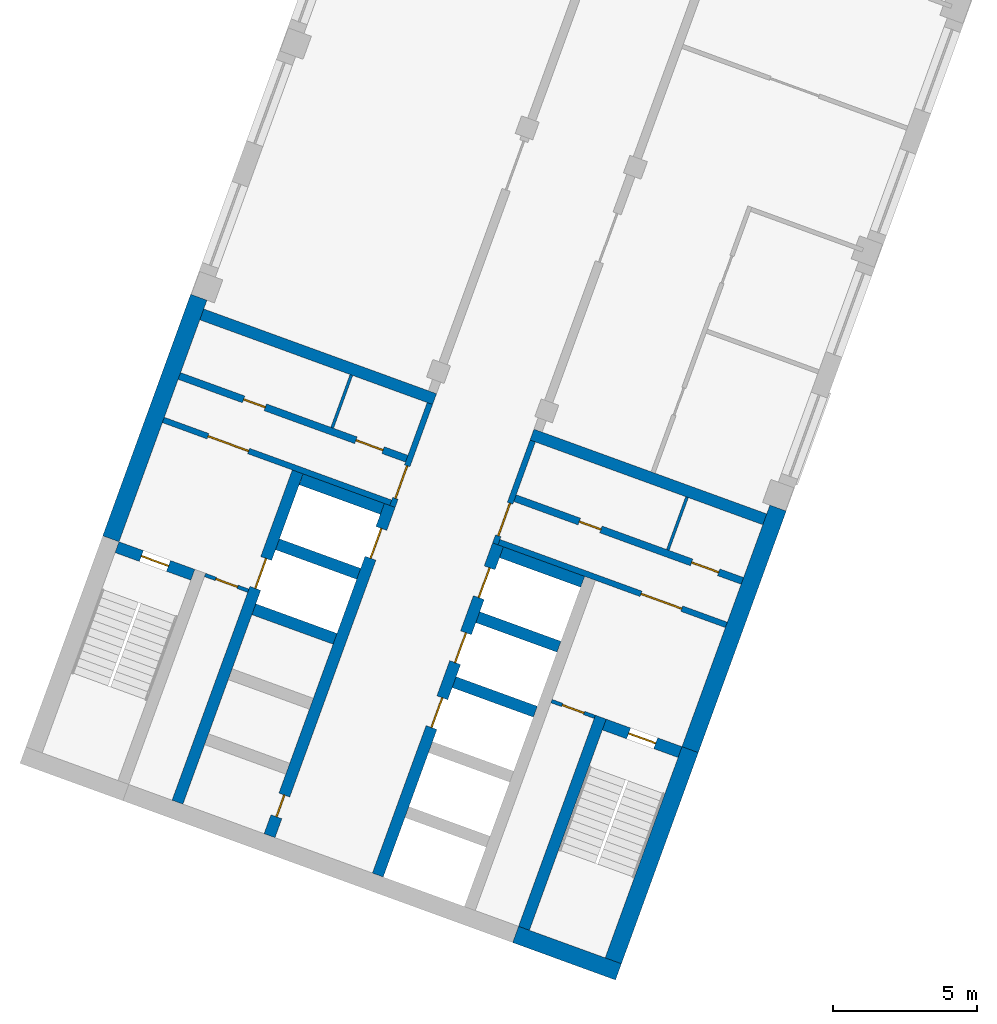
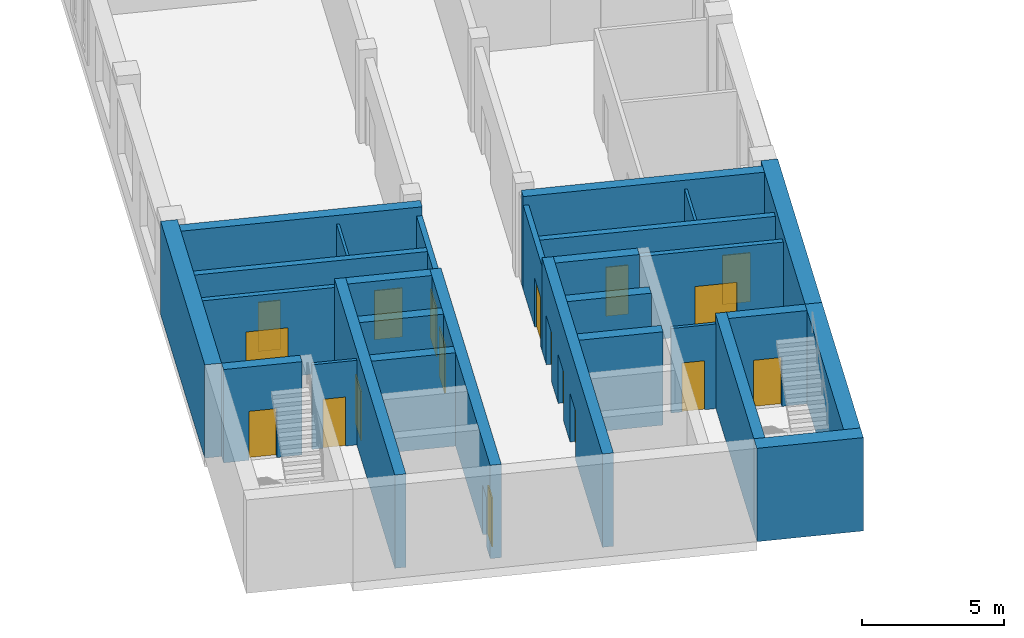
# One storey, part 2 of 8: 28 walls, 18 doors, 18 openings.
"""IFC4 building model written with IfcOpenShell, lengths in metres."""

from ifc_helpers import new_model, si_unit, direction, frame, frame_2d, origin, place, context, subcontext, project, spatial, rectangle, extrude, material, layer, layer_set, type_object, element, fill, save


model = new_model("IFC4")

# Units and contexts
model_context = context("Model", 3, precision=1e-05, world=origin(), true_north=direction((0.0, 1.0)))
body_context = subcontext(model_context, "Body", "Model", "MODEL_VIEW")
ifc_project = project(units=[si_unit("LENGTHUNIT", "METRE"), si_unit("AREAUNIT", "SQUARE_METRE"), si_unit("VOLUMEUNIT", "CUBIC_METRE"), si_unit("PLANEANGLEUNIT", "RADIAN"), si_unit("MASSUNIT", "GRAM", prefix="KILO")], contexts=[model_context])

# Site, building, storey
site_placement = place(None, origin())
site = spatial("IfcSite", under=ifc_project, at=site_placement, CompositionType="ELEMENT")
building_placement = place(site_placement, origin())
building = spatial("IfcBuilding", under=site, at=building_placement, Name="Skarvind Civic Tower", CompositionType="ELEMENT")
storey_placement = place(building_placement, frame((0.0, 0.0, 121.0)))
storey = spatial("IfcBuildingStorey", under=building, at=storey_placement, Name="L28", CompositionType="ELEMENT", Elevation=121.0)

# Wall, opening, door
ifc_material_1 = material(Name="Fire-rated masonry partition", Category="masonry")
ifc_layer_1 = layer(ifc_material_1, 0.199951171875)
ifc_layer_set_1 = layer_set([ifc_layer_1], Name="Core enclosure wall 200")
wall_type_1 = type_object("IfcWallType", Name="Core enclosure wall 200", PredefinedType="PARTITIONING", material=ifc_layer_set_1)
wall_1_placement = place(storey_placement, frame((31.491455078125, 93.693359375, 0.0), z_axis=(0.0, 0.0, 1.0), x_axis=(0.341995824804, 0.939701471648, 0.0)))
wall_1 = element("IfcWall", 1, at=wall_1_placement, inside=storey, type_object=wall_type_1, Name="Core wall C2", PredefinedType="PARTITIONING", context=body_context, shape_type="SweptSolid", body=[
    extrude(rectangle(XDim=3.800048828125, YDim=0.199951171875, at=frame_2d((1.89990234375, 0.0))), origin(), (0.0, 0.0, 1.0), 3.625),
])
opening_1_placement = place(wall_1_placement, frame((0.300048828125, 0.0, 0.0)))
opening_1 = element("IfcOpeningElement", 2, at=opening_1_placement, cuts=wall_1, Name="Opening D-L28-C2-06", PredefinedType="OPENING", context=body_context, shape_type="SweptSolid", body=[
    extrude(rectangle(XDim=1.199951171875, YDim=2.10009765625, at=frame_2d((0.60009765625, 1.050048828125))), frame((0.0, 0.10986328125, 0.0), z_axis=(0.0, -1.0, 0.0), x_axis=(1.0, 0.0, 0.0)), (0.0, 0.0, 1.0), 0.219970703125),
])
ifc_material_2 = material(Name="Fire-rated steel door", Category="steel")
door_type_1 = type_object("IfcDoorType", Name="Core lobby door 1200", OperationType="NOTDEFINED", PredefinedType="DOOR", material=ifc_material_2)
door_1_placement = place(opening_1_placement, origin())
door_1 = element("IfcDoor", 3, at=door_1_placement, inside=storey, type_object=door_type_1, Name="Fire door", OperationType="DOUBLE_DOOR_SINGLE_SWING", OverallHeight=2.10009765625, OverallWidth=1.199951171875, PredefinedType="DOOR", context=body_context, shape_type="SweptSolid", body=[
    extrude(rectangle(XDim=1.199951171875, YDim=2.10009765625, at=frame_2d((0.60009765625, 1.050048828125))), frame((0.0, 0.02490234375, 0.0), z_axis=(0.0, -1.0, 0.0), x_axis=(1.0, 0.0, 0.0)), (0.0, 0.0, 1.0), 0.050048828125),
])
fill(opening_1, door_1)

wall_2_placement = place(storey_placement, frame((23.5380859375, 96.6943359375, 0.0), z_axis=(0.0, 0.0, 1.0), x_axis=(0.939691552312, -0.342023078919, 0.0)))
wall_2 = element("IfcWall", 4, at=wall_2_placement, inside=storey, type_object=wall_type_1, Name="Core wall C2", PredefinedType="PARTITIONING", context=body_context, shape_type="SweptSolid", body=[
    extrude(rectangle(XDim=8.400146484375, YDim=0.199951171875, at=frame_2d((4.2001953125, 0.0))), origin(), (0.0, 0.0, 1.0), 3.625),
])
opening_2_placement = place(wall_2_placement, frame((1.64990234375, 0.0, 0.0)))
opening_2 = element("IfcOpeningElement", 5, at=opening_2_placement, cuts=wall_2, Name="Opening D-L28-C2-07", PredefinedType="OPENING", context=body_context, shape_type="SweptSolid", body=[
    extrude(rectangle(XDim=1.5, YDim=2.10009765625, at=frame_2d((0.75, 1.050048828125))), frame((0.0, 0.10986328125, 0.0), z_axis=(0.0, -1.0, 0.0), x_axis=(1.0, 0.0, 0.0)), (0.0, 0.0, 1.0), 0.219970703125),
])
door_type_2 = type_object("IfcDoorType", Name="Fire door 1500", OperationType="NOTDEFINED", PredefinedType="DOOR", material=ifc_material_2)
door_2_placement = place(opening_2_placement, origin())
door_2 = element("IfcDoor", 6, at=door_2_placement, inside=storey, type_object=door_type_2, Name="Fire door", OperationType="DOUBLE_DOOR_SINGLE_SWING", OverallHeight=2.10009765625, OverallWidth=1.5, PredefinedType="DOOR", context=body_context, shape_type="SweptSolid", body=[
    extrude(rectangle(XDim=1.5, YDim=2.10009765625, at=frame_2d((0.75, 1.050048828125))), frame((0.0, 0.02490234375, 0.0), z_axis=(0.0, -1.0, 0.0), x_axis=(1.0, 0.0, 0.0)), (0.0, 0.0, 1.0), 0.050048828125),
])
fill(opening_2, door_2)

wall_3_placement = place(storey_placement, frame((36.36181640625, 95.96435546875, 0.0), z_axis=(0.0, 0.0, 1.0), x_axis=(-0.341995824804, -0.939701471648, 0.0)))
wall_3 = element("IfcWall", 7, at=wall_3_placement, inside=storey, type_object=wall_type_1, Name="Core wall C2", PredefinedType="PARTITIONING", context=body_context, shape_type="SweptSolid", body=[
    extrude(rectangle(XDim=3.800048828125, YDim=0.199951171875, at=frame_2d((1.89990234375, 0.0))), origin(), (0.0, 0.0, 1.0), 3.625),
])
opening_3_placement = place(wall_3_placement, frame((2.300048828125, 0.0, 0.0)))
opening_3 = element("IfcOpeningElement", 8, at=opening_3_placement, cuts=wall_3, Name="Opening D-L28-C2-12", PredefinedType="OPENING", context=body_context, shape_type="SweptSolid", body=[
    extrude(rectangle(XDim=1.199951171875, YDim=2.10009765625, at=frame_2d((0.60009765625, 1.050048828125))), frame((0.0, 0.10986328125, 0.0), z_axis=(0.0, -1.0, 0.0), x_axis=(1.0, 0.0, 0.0)), (0.0, 0.0, 1.0), 0.219970703125),
])
door_3_placement = place(opening_3_placement, origin())
door_3 = element("IfcDoor", 9, at=door_3_placement, inside=storey, type_object=door_type_1, Name="Fire door", OperationType="DOUBLE_DOOR_SINGLE_SWING", OverallHeight=2.10009765625, OverallWidth=1.199951171875, PredefinedType="DOOR", context=body_context, shape_type="SweptSolid", body=[
    extrude(rectangle(XDim=1.199951171875, YDim=2.10009765625, at=frame_2d((0.60009765625, 1.050048828125))), frame((0.0, 0.02490234375, 0.0), z_axis=(0.0, -1.0, 0.0), x_axis=(1.0, 0.0, 0.0)), (0.0, 0.0, 1.0), 0.050048828125),
])
fill(opening_3, door_3)

wall_4_placement = place(storey_placement, frame((35.1904296875, 92.453369140625, 0.0), z_axis=(0.0, 0.0, 1.0), x_axis=(0.939691552312, -0.342023078919, 0.0)))
wall_4 = element("IfcWall", 10, at=wall_4_placement, inside=storey, type_object=wall_type_1, Name="Core wall C2", PredefinedType="PARTITIONING", context=body_context, shape_type="SweptSolid", body=[
    extrude(rectangle(XDim=8.400146484375, YDim=0.199951171875, at=frame_2d((4.2001953125, 0.0))), origin(), (0.0, 0.0, 1.0), 3.625),
])
opening_4_placement = place(wall_4_placement, frame((5.25, 0.0, 0.0)))
opening_4 = element("IfcOpeningElement", 11, at=opening_4_placement, cuts=wall_4, Name="Opening D-L28-C2-13", PredefinedType="OPENING", context=body_context, shape_type="SweptSolid", body=[
    extrude(rectangle(XDim=1.5, YDim=2.10009765625, at=frame_2d((0.75, 1.050048828125))), frame((0.0, 0.10986328125, 0.0), z_axis=(0.0, -1.0, 0.0), x_axis=(1.0, 0.0, 0.0)), (0.0, 0.0, 1.0), 0.219970703125),
])
door_4_placement = place(opening_4_placement, origin())
door_4 = element("IfcDoor", 12, at=door_4_placement, inside=storey, type_object=door_type_2, Name="Fire door", OperationType="DOUBLE_DOOR_SINGLE_SWING", OverallHeight=2.10009765625, OverallWidth=1.5, PredefinedType="DOOR", context=body_context, shape_type="SweptSolid", body=[
    extrude(rectangle(XDim=1.5, YDim=2.10009765625, at=frame_2d((0.75, 1.050048828125))), frame((0.0, 0.02490234375, 0.0), z_axis=(0.0, -1.0, 0.0), x_axis=(1.0, 0.0, 0.0)), (0.0, 0.0, 1.0), 0.050048828125),
])
fill(opening_4, door_4)

# Walls
ifc_material_3 = material(Name="Fire-rated plasterboard partition")
ifc_layer_2 = layer(ifc_material_3, 0.10009765625)
ifc_layer_set_2 = layer_set([ifc_layer_2], Name="Core partition wall 100")
wall_type_2 = type_object("IfcWallType", Name="Core partition wall 100", PredefinedType="PARTITIONING", material=ifc_layer_set_2)
for number, where, z_axis, x_axis, name in (
    (13, (29.399169921875, 96.423583984375, 0.0), (0.0, 0.0, 1.0), (0.341913947243, 0.939731266204, 0.0), "Core wall C2"),
    (14, (41.71826171875, 94.014892578125, 0.0), (0.0, 0.0, 1.0), (-0.342064742067, -0.939676386973, 0.0), "Core wall C2"),
):
    element("IfcWall", number, at=place(storey_placement, frame(where, z_axis=z_axis, x_axis=x_axis)), inside=storey, type_object=wall_type_2, Name=name, PredefinedType="PARTITIONING", context=body_context, shape_type="SweptSolid", body=[
        extrude(rectangle(XDim=1.949951171875, YDim=0.10009765625, at=frame_2d((0.97509765625, 0.0))), origin(), (0.0, 0.0, 1.0), 3.625),
    ])
ifc_material_4 = material(Name="Concrete C80", Category="concrete")
ifc_layer_3 = layer(ifc_material_4, 0.39990234375)
ifc_layer_set_3 = layer_set([ifc_layer_3], Name="Core wall 400 C80")
wall_type_3 = type_object("IfcWallType", Name="Core wall 400 C80", PredefinedType="SHEAR", material=ifc_layer_set_3)
wall_5_placement = place(storey_placement, frame((36.057861328125, 79.04833984375, 0.0), z_axis=(0.0, 0.0, 1.0), x_axis=(0.342016982193, 0.939693771338, 0.0)))
element("IfcWall", 15, at=wall_5_placement, inside=storey, type_object=wall_type_3, Name="Core wall C2 south stair inner L28", PredefinedType="SHEAR", context=body_context, shape_type="SweptSolid", body=[
    extrude(rectangle(XDim=7.800048828125, YDim=0.39990234375, at=frame_2d((3.89990234375, 0.0))), origin(), (0.0, 0.0, 1.0), 4.0),
])

# Wall, opening, door
wall_6_placement = place(storey_placement, frame((41.476318359375, 85.163818359375, 0.0), z_axis=(0.0, 0.0, 1.0), x_axis=(-0.939678810556, 0.342058084236, 0.0)))
wall_6 = element("IfcWall", 16, at=wall_6_placement, inside=storey, type_object=wall_type_3, Name="Core wall C2 south stair end L28", PredefinedType="SHEAR", context=body_context, shape_type="SweptSolid", body=[
    extrude(rectangle(XDim=2.800048828125, YDim=0.39990234375, at=frame_2d((1.39990234375, 0.0))), origin(), (0.0, 0.0, 1.0), 4.0),
])
opening_5_placement = place(wall_6_placement, frame((0.89990234375, 0.0, 0.0)))
opening_5 = element("IfcOpeningElement", 17, at=opening_5_placement, cuts=wall_6, Name="Opening D-L28-C2-14", PredefinedType="OPENING", context=body_context, shape_type="SweptSolid", body=[
    extrude(rectangle(XDim=1.0, YDim=2.10009765625, at=frame_2d((0.5, 1.050048828125))), frame((0.0, 0.2099609375, 0.0), z_axis=(0.0, -1.0, 0.0), x_axis=(1.0, 0.0, 0.0)), (0.0, 0.0, 1.0), 0.419921875),
])
door_type_3 = type_object("IfcDoorType", Name="Fire door 1000", OperationType="NOTDEFINED", PredefinedType="DOOR", material=ifc_material_2)
door_5_placement = place(opening_5_placement, origin())
door_5 = element("IfcDoor", 18, at=door_5_placement, inside=storey, type_object=door_type_3, Name="Fire door", OperationType="SINGLE_SWING_RIGHT", OverallHeight=2.10009765625, OverallWidth=1.0, PredefinedType="DOOR", context=body_context, shape_type="SweptSolid", body=[
    extrude(rectangle(XDim=1.0, YDim=2.10009765625, at=frame_2d((0.5, 1.050048828125))), frame((0.0, 0.02490234375, 0.0), z_axis=(0.0, -1.0, 0.0), x_axis=(1.0, 0.0, 0.0)), (0.0, 0.0, 1.0), 0.050048828125),
])
fill(opening_5, door_5)

wall_7_placement = place(storey_placement, frame((24.56201171875, 91.3203125, 0.0), z_axis=(0.0, 0.0, 1.0), x_axis=(-0.939717030584, 0.341953070509, 0.0)))
wall_7 = element("IfcWall", 19, at=wall_7_placement, inside=storey, type_object=wall_type_3, Name="Core wall C2 north stair end L28", PredefinedType="SHEAR", context=body_context, shape_type="SweptSolid", body=[
    extrude(rectangle(XDim=2.800048828125, YDim=0.39990234375, at=frame_2d((1.39990234375, 0.0))), origin(), (0.0, 0.0, 1.0), 4.0),
])
opening_6_placement = place(wall_7_placement, frame((0.89990234375, 0.0, 0.0)))
opening_6 = element("IfcOpeningElement", 20, at=opening_6_placement, cuts=wall_7, Name="Opening D-L28-C2-08", PredefinedType="OPENING", context=body_context, shape_type="SweptSolid", body=[
    extrude(rectangle(XDim=1.0, YDim=2.10009765625, at=frame_2d((0.5, 1.050048828125))), frame((0.0, 0.2099609375, 0.0), z_axis=(0.0, -1.0, 0.0), x_axis=(1.0, 0.0, 0.0)), (0.0, 0.0, 1.0), 0.419921875),
])
door_6_placement = place(opening_6_placement, origin())
door_6 = element("IfcDoor", 21, at=door_6_placement, inside=storey, type_object=door_type_3, Name="Fire door", OperationType="SINGLE_SWING_LEFT", OverallHeight=2.10009765625, OverallWidth=1.0, PredefinedType="DOOR", context=body_context, shape_type="SweptSolid", body=[
    extrude(rectangle(XDim=1.0, YDim=2.10009765625, at=frame_2d((0.5, 1.050048828125))), frame((0.0, 0.02490234375, 0.0), z_axis=(0.0, -1.0, 0.0), x_axis=(1.0, 0.0, 0.0)), (0.0, 0.0, 1.0), 0.050048828125),
])
fill(opening_6, door_6)

# Wall, openings, doors
wall_8_placement = place(storey_placement, frame((30.983642578125, 80.895263671875, 0.0), z_axis=(0.0, 0.0, 1.0), x_axis=(0.342021021735, 0.939692301071, 0.0)))
wall_8 = element("IfcWall", 22, at=wall_8_placement, inside=storey, type_object=wall_type_3, Name="Core wall C2 south lift row front L28", PredefinedType="SHEAR", context=body_context, shape_type="SweptSolid", body=[
    extrude(rectangle(XDim=12.199951171875, YDim=0.39990234375, at=frame_2d((6.10009765625, 0.0))), origin(), (0.0, 0.0, 1.0), 4.0),
])
opening_7_placement = place(wall_8_placement, frame((5.449951171875, 0.0, 0.0)))
opening_7 = element("IfcOpeningElement", 23, at=opening_7_placement, cuts=wall_8, Name="Opening LD30208", PredefinedType="OPENING", context=body_context, shape_type="SweptSolid", body=[
    extrude(rectangle(XDim=1.10009765625, YDim=2.10009765625, at=frame_2d((0.550048828125, 1.050048828125))), frame((0.0, 0.2099609375, 0.0), z_axis=(0.0, -1.0, 0.0), x_axis=(1.0, 0.0, 0.0)), (0.0, 0.0, 1.0), 0.419921875),
])
opening_8_placement = place(wall_8_placement, frame((7.85009765625, 0.0, 0.0)))
opening_8 = element("IfcOpeningElement", 24, at=opening_8_placement, cuts=wall_8, Name="Opening LD30209", PredefinedType="OPENING", context=body_context, shape_type="SweptSolid", body=[
    extrude(rectangle(XDim=1.10009765625, YDim=2.10009765625, at=frame_2d((0.550048828125, 1.050048828125))), frame((0.0, 0.2099609375, 0.0), z_axis=(0.0, -1.0, 0.0), x_axis=(1.0, 0.0, 0.0)), (0.0, 0.0, 1.0), 0.419921875),
])
opening_9_placement = place(wall_8_placement, frame((10.25, 0.0, 0.0)))
opening_9 = element("IfcOpeningElement", 25, at=opening_9_placement, cuts=wall_8, Name="Opening LD30210", PredefinedType="OPENING", context=body_context, shape_type="SweptSolid", body=[
    extrude(rectangle(XDim=1.10009765625, YDim=2.10009765625, at=frame_2d((0.550048828125, 1.050048828125))), frame((0.0, 0.2099609375, 0.0), z_axis=(0.0, -1.0, 0.0), x_axis=(1.0, 0.0, 0.0)), (0.0, 0.0, 1.0), 0.419921875),
])
ifc_material_5 = material(Name="Stainless steel landing door", Category="steel")
door_type_4 = type_object("IfcDoorType", Name="Lift landing door 1100", OperationType="DOUBLE_DOOR_SLIDING", PredefinedType="DOOR", material=ifc_material_5)
door_7_placement = place(opening_7_placement, origin())
door_7 = element("IfcDoor", 26, at=door_7_placement, inside=storey, type_object=door_type_4, Name="Lift landing door", OperationType="DOUBLE_DOOR_SLIDING", OverallHeight=2.10009765625, OverallWidth=1.10009765625, PredefinedType="DOOR", context=body_context, shape_type="SweptSolid", body=[
    extrude(rectangle(XDim=1.10009765625, YDim=2.10009765625, at=frame_2d((0.550048828125, 1.050048828125))), frame((0.0, 0.02490234375, 0.0), z_axis=(0.0, -1.0, 0.0), x_axis=(1.0, 0.0, 0.0)), (0.0, 0.0, 1.0), 0.050048828125),
])
fill(opening_7, door_7)
door_8_placement = place(opening_8_placement, origin())
door_8 = element("IfcDoor", 27, at=door_8_placement, inside=storey, type_object=door_type_4, Name="Lift landing door", OperationType="DOUBLE_DOOR_SLIDING", OverallHeight=2.10009765625, OverallWidth=1.10009765625, PredefinedType="DOOR", context=body_context, shape_type="SweptSolid", body=[
    extrude(rectangle(XDim=1.10009765625, YDim=2.10009765625, at=frame_2d((0.550048828125, 1.050048828125))), frame((0.0, 0.02490234375, 0.0), z_axis=(0.0, -1.0, 0.0), x_axis=(1.0, 0.0, 0.0)), (0.0, 0.0, 1.0), 0.050048828125),
])
fill(opening_8, door_8)
door_9_placement = place(opening_9_placement, origin())
door_9 = element("IfcDoor", 28, at=door_9_placement, inside=storey, type_object=door_type_4, Name="Lift landing door", OperationType="DOUBLE_DOOR_SLIDING", OverallHeight=2.10009765625, OverallWidth=1.10009765625, PredefinedType="DOOR", context=body_context, shape_type="SweptSolid", body=[
    extrude(rectangle(XDim=1.10009765625, YDim=2.10009765625, at=frame_2d((0.550048828125, 1.050048828125))), frame((0.0, 0.02490234375, 0.0), z_axis=(0.0, -1.0, 0.0), x_axis=(1.0, 0.0, 0.0)), (0.0, 0.0, 1.0), 0.050048828125),
])
fill(opening_9, door_9)

# Walls
for number, where, z_axis, x_axis, name in (
    (29, (36.453125, 86.56640625, 0.0), (0.0, 0.0, 1.0), (-0.939686455819, 0.342037080957, 0.0), "Core wall C2 south lift row division 3 L28"),
    (30, (37.27392578125, 88.82177734375, 0.0), (0.0, 0.0, 1.0), (-0.939686455819, 0.342037080957, 0.0), "Core wall C2 south lift row division 4 L28"),
):
    element("IfcWall", number, at=place(storey_placement, frame(where, z_axis=z_axis, x_axis=x_axis)), inside=storey, type_object=wall_type_3, Name=name, PredefinedType="SHEAR", context=body_context, shape_type="SweptSolid", body=[
        extrude(rectangle(XDim=3.0, YDim=0.39990234375, at=frame_2d((1.5, 0.0))), origin(), (0.0, 0.0, 1.0), 4.0),
    ])
wall_9_placement = place(storey_placement, frame((38.0947265625, 91.076904296875, 0.0), z_axis=(0.0, 0.0, 1.0), x_axis=(-0.939676934218, 0.342063238742, 0.0)))
element("IfcWall", 31, at=wall_9_placement, inside=storey, type_object=wall_type_3, Name="Core wall C2 south lift row division 5 L28", PredefinedType="SHEAR", context=body_context, shape_type="SweptSolid", body=[
    extrude(rectangle(XDim=2.999755859375, YDim=0.39990234375, at=frame_2d((1.5, 0.0))), origin(), (0.0, 0.0, 1.0), 4.0),
])

# Wall, openings, doors
wall_10_placement = place(storey_placement, frame((27.224853515625, 82.26318359375, 0.0), z_axis=(0.0, 0.0, 1.0), x_axis=(0.342014590177, 0.939694641948, 0.0)))
wall_10 = element("IfcWall", 32, at=wall_10_placement, inside=storey, type_object=wall_type_3, Name="Core wall C2 north lift row front L28", PredefinedType="SHEAR", context=body_context, shape_type="SweptSolid", body=[
    extrude(rectangle(XDim=12.2001953125, YDim=0.39990234375, at=frame_2d((6.10009765625, 0.0))), origin(), (0.0, 0.0, 1.0), 4.0),
])
opening_10_placement = place(wall_10_placement, frame((10.25, 0.0, 0.0)))
opening_10 = element("IfcOpeningElement", 33, at=opening_10_placement, cuts=wall_10, Name="Opening LD30205", PredefinedType="OPENING", context=body_context, shape_type="SweptSolid", body=[
    extrude(rectangle(XDim=1.10009765625, YDim=2.10009765625, at=frame_2d((0.550048828125, 1.050048828125))), frame((0.0, 0.2099609375, 0.0), z_axis=(0.0, -1.0, 0.0), x_axis=(1.0, 0.0, 0.0)), (0.0, 0.0, 1.0), 0.419921875),
])
opening_11_placement = place(wall_10_placement, frame((0.699951171875, 0.0, 0.0)))
opening_11 = element("IfcOpeningElement", 34, at=opening_11_placement, cuts=wall_10, Name="Opening D-L28-C2-05", PredefinedType="OPENING", context=body_context, shape_type="SweptSolid", body=[
    extrude(rectangle(XDim=0.800048828125, YDim=2.10009765625, at=frame_2d((0.39990234375, 1.050048828125))), frame((0.0, 0.2099609375, 0.0), z_axis=(0.0, -1.0, 0.0), x_axis=(1.0, 0.0, 0.0)), (0.0, 0.0, 1.0), 0.419921875),
])
door_type_5 = type_object("IfcDoorType", Name="Core riser door 800", OperationType="NOTDEFINED", PredefinedType="DOOR", material=ifc_material_2)
door_10_placement = place(opening_11_placement, origin())
door_10 = element("IfcDoor", 35, at=door_10_placement, inside=storey, type_object=door_type_5, Name="Riser door", OperationType="SINGLE_SWING_LEFT", OverallHeight=2.10009765625, OverallWidth=0.800048828125, PredefinedType="DOOR", context=body_context, shape_type="SweptSolid", body=[
    extrude(rectangle(XDim=0.800048828125, YDim=2.10009765625, at=frame_2d((0.39990234375, 1.050048828125))), frame((0.0, 0.02490234375, 0.0), z_axis=(0.0, -1.0, 0.0), x_axis=(1.0, 0.0, 0.0)), (0.0, 0.0, 1.0), 0.050048828125),
])
fill(opening_11, door_10)
door_11_placement = place(opening_10_placement, origin())
door_11 = element("IfcDoor", 36, at=door_11_placement, inside=storey, type_object=door_type_4, Name="Lift landing door", OperationType="DOUBLE_DOOR_SLIDING", OverallHeight=2.10009765625, OverallWidth=1.10009765625, PredefinedType="DOOR", context=body_context, shape_type="SweptSolid", body=[
    extrude(rectangle(XDim=1.10009765625, YDim=2.10009765625, at=frame_2d((0.550048828125, 1.050048828125))), frame((0.0, 0.02490234375, 0.0), z_axis=(0.0, -1.0, 0.0), x_axis=(1.0, 0.0, 0.0)), (0.0, 0.0, 1.0), 0.050048828125),
])
fill(opening_10, door_11)

# Wall, opening, door
wall_11_placement = place(storey_placement, frame((24.02978515625, 83.426025390625, 0.0), z_axis=(0.0, 0.0, 1.0), x_axis=(0.342014590177, 0.939694641948, 0.0)))
wall_11 = element("IfcWall", 37, at=wall_11_placement, inside=storey, type_object=wall_type_3, Name="Core wall C2 north lift row back L28", PredefinedType="SHEAR", context=body_context, shape_type="SweptSolid", body=[
    extrude(rectangle(XDim=12.2001953125, YDim=0.39990234375, at=frame_2d((6.10009765625, 0.0))), origin(), (0.0, 0.0, 1.0), 4.0),
])
opening_12_placement = place(wall_11_placement, frame((7.89990234375, 0.0, 0.0)))
opening_12 = element("IfcOpeningElement", 38, at=opening_12_placement, cuts=wall_11, Name="Opening LD30204", PredefinedType="OPENING", context=body_context, shape_type="SweptSolid", body=[
    extrude(rectangle(XDim=1.10009765625, YDim=2.10009765625, at=frame_2d((0.550048828125, 1.050048828125))), frame((0.0, 0.2099609375, 0.0), z_axis=(0.0, -1.0, 0.0), x_axis=(1.0, 0.0, 0.0)), (0.0, 0.0, 1.0), 0.419921875),
])
door_12_placement = place(opening_12_placement, origin())
door_12 = element("IfcDoor", 39, at=door_12_placement, inside=storey, type_object=door_type_4, Name="Lift landing door", OperationType="DOUBLE_DOOR_SLIDING", OverallHeight=2.10009765625, OverallWidth=1.10009765625, PredefinedType="DOOR", context=body_context, shape_type="SweptSolid", body=[
    extrude(rectangle(XDim=1.10009765625, YDim=2.10009765625, at=frame_2d((0.550048828125, 1.050048828125))), frame((0.0, 0.02490234375, 0.0), z_axis=(0.0, -1.0, 0.0), x_axis=(1.0, 0.0, 0.0)), (0.0, 0.0, 1.0), 0.050048828125),
])
fill(opening_12, door_12)

# Walls
for number, where, z_axis, x_axis, name in (
    (40, (29.49951171875, 89.097412109375, 0.0), (0.0, 0.0, 1.0), (-0.939686455819, 0.342037080957, 0.0), "Core wall C2 north lift row division 3 L28"),
    (41, (30.3203125, 91.352783203125, 0.0), (0.0, 0.0, 1.0), (-0.939712609717, 0.341965219194, 0.0), "Core wall C2 north lift row division 4 L28"),
    (42, (31.14111328125, 93.60791015625, 0.0), (0.0, 0.0, 1.0), (-0.939686455819, 0.342037080957, 0.0), "Core wall C2 north lift row division 5 L28"),
):
    element("IfcWall", number, at=place(storey_placement, frame(where, z_axis=z_axis, x_axis=x_axis)), inside=storey, type_object=wall_type_3, Name=name, PredefinedType="SHEAR", context=body_context, shape_type="SweptSolid", body=[
        extrude(rectangle(XDim=3.0, YDim=0.39990234375, at=frame_2d((1.5, 0.0))), origin(), (0.0, 0.0, 1.0), 4.0),
    ])
for number, where, z_axis, x_axis, name in (
    (43, (44.417724609375, 93.2451171875, 0.0), (0.0, 0.0, 1.0), (-0.93969060187, 0.342025690201, 0.0), "Core wall C2 south inner face L28"),
    (44, (32.953369140625, 97.417724609375, 0.0), (0.0, 0.0, 1.0), (-0.93969060187, 0.342025690201, 0.0), "Core wall C2 north inner face L28"),
):
    element("IfcWall", number, at=place(storey_placement, frame(where, z_axis=z_axis, x_axis=x_axis)), inside=storey, type_object=wall_type_3, Name=name, PredefinedType="SHEAR", context=body_context, shape_type="SweptSolid", body=[
        extrude(rectangle(XDim=8.599853515625, YDim=0.39990234375, at=frame_2d((4.2998046875, 0.0))), origin(), (0.0, 0.0, 1.0), 4.0),
    ])
ifc_layer_4 = layer(ifc_material_4, 0.60009765625)
ifc_layer_set_4 = layer_set([ifc_layer_4], Name="Core wall 600 C80")
wall_type_4 = type_object("IfcWallType", Name="Core wall 600 C80", PredefinedType="SHEAR", material=ifc_layer_set_4)
wall_12_placement = place(storey_placement, frame((39.338134765625, 77.53515625, 0.0), z_axis=(0.0, 0.0, 1.0), x_axis=(-0.939701471648, 0.341995824804, 0.0)))
element("IfcWall", 45, at=wall_12_placement, inside=storey, type_object=wall_type_4, Name="Core wall C2 tip at the south stair L28", PredefinedType="SHEAR", context=body_context, shape_type="SweptSolid", body=[
    extrude(rectangle(XDim=3.800048828125, YDim=0.60009765625, at=frame_2d((1.89990234375, 0.0))), origin(), (0.0, 0.0, 1.0), 4.0),
])
wall_13_placement = place(storey_placement, frame((39.158935546875, 77.919677734375, 0.0), z_axis=(0.0, 0.0, 1.0), x_axis=(0.342016982193, 0.939693771338, 0.0)))
element("IfcWall", 46, at=wall_13_placement, inside=storey, type_object=wall_type_4, Name="Core wall C2 south side at the stair L28", PredefinedType="SHEAR", context=body_context, shape_type="SweptSolid", body=[
    extrude(rectangle(XDim=7.800048828125, YDim=0.60009765625, at=frame_2d((3.89990234375, 0.0))), origin(), (0.0, 0.0, 1.0), 4.0),
])
for number, where, z_axis, x_axis, name in (
    (47, (41.82666015625, 85.249267578125, 0.0), (0.0, 0.0, 1.0), (0.342017595281, 0.939693548195, 0.0), "Core wall C2 south side L28"),
    (48, (21.71728515625, 92.568359375, 0.0), (0.0, 0.0, 1.0), (0.342017595281, 0.939693548195, 0.0), "Core wall C2 north side L28"),
):
    element("IfcWall", number, at=place(storey_placement, frame(where, z_axis=z_axis, x_axis=x_axis)), inside=storey, type_object=wall_type_4, Name=name, PredefinedType="SHEAR", context=body_context, shape_type="SweptSolid", body=[
        extrude(rectangle(XDim=8.925048828125, YDim=0.60009765625, at=frame_2d((4.46240234375, 0.0))), origin(), (0.0, 0.0, 1.0), 4.0),
    ])

# Wall, opening, door
ifc_layer_5 = layer(ifc_material_1, 0.125)
ifc_layer_set_5 = layer_set([ifc_layer_5], Name="Riser wall 125")
wall_type_5 = type_object("IfcWallType", Name="Riser wall 125", PredefinedType="PARTITIONING", material=ifc_layer_set_5)
wall_14_placement = place(storey_placement, frame((24.98486328125, 91.3125, 0.0), z_axis=(0.0, 0.0, 1.0), x_axis=(0.939708740826, -0.341975850632, 0.0)))
wall_14 = element("IfcWall", 49, at=wall_14_placement, inside=storey, type_object=wall_type_5, Name="Core wall C2", PredefinedType="PARTITIONING", context=body_context, shape_type="SweptSolid", body=[
    extrude(rectangle(XDim=1.599853515625, YDim=0.125, at=frame_2d((0.7998046875, 0.0))), origin(), (0.0, 0.0, 1.0), 3.625),
])
opening_13_placement = place(wall_14_placement, frame((0.39990234375, 0.0, 0.0)))
opening_13 = element("IfcOpeningElement", 50, at=opening_13_placement, cuts=wall_14, Name="Opening D-L28-C2-09", PredefinedType="OPENING", context=body_context, shape_type="SweptSolid", body=[
    extrude(rectangle(XDim=0.800048828125, YDim=2.10009765625, at=frame_2d((0.39990234375, 1.050048828125))), frame((0.0, 0.072509765625, 0.0), z_axis=(0.0, -1.0, 0.0), x_axis=(1.0, 0.0, 0.0)), (0.0, 0.0, 1.0), 0.14501953125),
])
door_13_placement = place(opening_13_placement, origin())
door_13 = element("IfcDoor", 51, at=door_13_placement, inside=storey, type_object=door_type_5, Name="Riser door", OperationType="SINGLE_SWING_RIGHT", OverallHeight=2.10009765625, OverallWidth=0.800048828125, PredefinedType="DOOR", context=body_context, shape_type="SweptSolid", body=[
    extrude(rectangle(XDim=0.800048828125, YDim=2.10009765625, at=frame_2d((0.39990234375, 1.050048828125))), frame((0.0, 0.02490234375, 0.0), z_axis=(0.0, -1.0, 0.0), x_axis=(1.0, 0.0, 0.0)), (0.0, 0.0, 1.0), 0.050048828125),
])
fill(opening_13, door_13)

wall_15_placement = place(storey_placement, frame((37.012939453125, 86.934814453125, 0.0), z_axis=(0.0, 0.0, 1.0), x_axis=(0.939659694648, -0.342110593602, 0.0)))
wall_15 = element("IfcWall", 52, at=wall_15_placement, inside=storey, type_object=wall_type_5, Name="Core wall C2", PredefinedType="PARTITIONING", context=body_context, shape_type="SweptSolid", body=[
    extrude(rectangle(XDim=1.599853515625, YDim=0.125, at=frame_2d((0.7998046875, 0.0))), origin(), (0.0, 0.0, 1.0), 3.625),
])
opening_14_placement = place(wall_15_placement, frame((0.39990234375, 0.0, 0.0)))
opening_14 = element("IfcOpeningElement", 53, at=opening_14_placement, cuts=wall_15, Name="Opening D-L28-C2-15", PredefinedType="OPENING", context=body_context, shape_type="SweptSolid", body=[
    extrude(rectangle(XDim=0.800048828125, YDim=2.10009765625, at=frame_2d((0.39990234375, 1.050048828125))), frame((0.0, 0.072509765625, 0.0), z_axis=(0.0, -1.0, 0.0), x_axis=(1.0, 0.0, 0.0)), (0.0, 0.0, 1.0), 0.14501953125),
])
door_14_placement = place(opening_14_placement, origin())
door_14 = element("IfcDoor", 54, at=door_14_placement, inside=storey, type_object=door_type_5, Name="Riser door", OperationType="SINGLE_SWING_LEFT", OverallHeight=2.10009765625, OverallWidth=0.800048828125, PredefinedType="DOOR", context=body_context, shape_type="SweptSolid", body=[
    extrude(rectangle(XDim=0.800048828125, YDim=2.10009765625, at=frame_2d((0.39990234375, 1.050048828125))), frame((0.0, 0.02490234375, 0.0), z_axis=(0.0, -1.0, 0.0), x_axis=(1.0, 0.0, 0.0)), (0.0, 0.0, 1.0), 0.050048828125),
])
fill(opening_14, door_14)

# Wall, openings, doors
ifc_layer_6 = layer(ifc_material_1, 0.25)
ifc_layer_set_6 = layer_set([ifc_layer_6], Name="Service block wall 250")
wall_type_6 = type_object("IfcWallType", Name="Service block wall 250", PredefinedType="PARTITIONING", material=ifc_layer_set_6)
wall_16_placement = place(storey_placement, frame((24.093994140625, 98.221435546875, 0.0), z_axis=(0.0, 0.0, 1.0), x_axis=(0.939691552312, -0.342023078919, 0.0)))
wall_16 = element("IfcWall", 55, at=wall_16_placement, inside=storey, type_object=wall_type_6, Name="Core wall C2", PredefinedType="PARTITIONING", context=body_context, shape_type="SweptSolid", body=[
    extrude(rectangle(XDim=8.400146484375, YDim=0.25, at=frame_2d((4.2001953125, 0.0))), origin(), (0.0, 0.0, 1.0), 3.625),
])
opening_15_placement = place(wall_16_placement, frame((6.52490234375, 0.0, 0.0)))
opening_15 = element("IfcOpeningElement", 56, at=opening_15_placement, cuts=wall_16, Name="Opening D-L28-C2-10", PredefinedType="OPENING", context=body_context, shape_type="SweptSolid", body=[
    extrude(rectangle(XDim=1.0, YDim=2.10009765625, at=frame_2d((0.5, 1.050048828125))), frame((0.0, 0.135009765625, 0.0), z_axis=(0.0, -1.0, 0.0), x_axis=(1.0, 0.0, 0.0)), (0.0, 0.0, 1.0), 0.27001953125),
])
opening_16_placement = place(wall_16_placement, frame((2.375, 0.0, 0.0)))
opening_16 = element("IfcOpeningElement", 57, at=opening_16_placement, cuts=wall_16, Name="Opening D-L28-C2-11", PredefinedType="OPENING", context=body_context, shape_type="SweptSolid", body=[
    extrude(rectangle(XDim=0.800048828125, YDim=2.10009765625, at=frame_2d((0.39990234375, 1.050048828125))), frame((0.0, 0.135009765625, 0.0), z_axis=(0.0, -1.0, 0.0), x_axis=(1.0, 0.0, 0.0)), (0.0, 0.0, 1.0), 0.27001953125),
])
door_15_placement = place(opening_16_placement, origin())
door_15 = element("IfcDoor", 58, at=door_15_placement, inside=storey, type_object=door_type_5, Name="Riser door", OperationType="SINGLE_SWING_RIGHT", OverallHeight=2.10009765625, OverallWidth=0.800048828125, PredefinedType="DOOR", context=body_context, shape_type="SweptSolid", body=[
    extrude(rectangle(XDim=0.800048828125, YDim=2.10009765625, at=frame_2d((0.39990234375, 1.050048828125))), frame((0.0, 0.02490234375, 0.0), z_axis=(0.0, -1.0, 0.0), x_axis=(1.0, 0.0, 0.0)), (0.0, 0.0, 1.0), 0.050048828125),
])
fill(opening_16, door_15)
door_16_placement = place(opening_15_placement, origin())
door_16 = element("IfcDoor", 59, at=door_16_placement, inside=storey, type_object=door_type_3, Name="Fire door", OperationType="SINGLE_SWING_LEFT", OverallHeight=2.10009765625, OverallWidth=1.0, PredefinedType="DOOR", context=body_context, shape_type="SweptSolid", body=[
    extrude(rectangle(XDim=1.0, YDim=2.10009765625, at=frame_2d((0.5, 1.050048828125))), frame((0.0, 0.02490234375, 0.0), z_axis=(0.0, -1.0, 0.0), x_axis=(1.0, 0.0, 0.0)), (0.0, 0.0, 1.0), 0.050048828125),
])
fill(opening_15, door_16)

wall_17_placement = place(storey_placement, frame((35.74609375, 93.98046875, 0.0), z_axis=(0.0, 0.0, 1.0), x_axis=(0.939691552312, -0.342023078919, 0.0)))
wall_17 = element("IfcWall", 60, at=wall_17_placement, inside=storey, type_object=wall_type_6, Name="Core wall C2", PredefinedType="PARTITIONING", context=body_context, shape_type="SweptSolid", body=[
    extrude(rectangle(XDim=8.400146484375, YDim=0.25, at=frame_2d((4.2001953125, 0.0))), origin(), (0.0, 0.0, 1.0), 3.625),
])
opening_17_placement = place(wall_17_placement, frame((2.375, 0.0, 0.0)))
opening_17 = element("IfcOpeningElement", 61, at=opening_17_placement, cuts=wall_17, Name="Opening D-L28-C2-16", PredefinedType="OPENING", context=body_context, shape_type="SweptSolid", body=[
    extrude(rectangle(XDim=0.800048828125, YDim=2.10009765625, at=frame_2d((0.39990234375, 1.050048828125))), frame((0.0, 0.135009765625, 0.0), z_axis=(0.0, -1.0, 0.0), x_axis=(1.0, 0.0, 0.0)), (0.0, 0.0, 1.0), 0.27001953125),
])
opening_18_placement = place(wall_17_placement, frame((6.52490234375, 0.0, 0.0)))
opening_18 = element("IfcOpeningElement", 62, at=opening_18_placement, cuts=wall_17, Name="Opening D-L28-C2-17", PredefinedType="OPENING", context=body_context, shape_type="SweptSolid", body=[
    extrude(rectangle(XDim=1.0, YDim=2.10009765625, at=frame_2d((0.5, 1.050048828125))), frame((0.0, 0.135009765625, 0.0), z_axis=(0.0, -1.0, 0.0), x_axis=(1.0, 0.0, 0.0)), (0.0, 0.0, 1.0), 0.27001953125),
])
door_17_placement = place(opening_17_placement, origin())
door_17 = element("IfcDoor", 63, at=door_17_placement, inside=storey, type_object=door_type_5, Name="Riser door", OperationType="SINGLE_SWING_RIGHT", OverallHeight=2.10009765625, OverallWidth=0.800048828125, PredefinedType="DOOR", context=body_context, shape_type="SweptSolid", body=[
    extrude(rectangle(XDim=0.800048828125, YDim=2.10009765625, at=frame_2d((0.39990234375, 1.050048828125))), frame((0.0, 0.02490234375, 0.0), z_axis=(0.0, -1.0, 0.0), x_axis=(1.0, 0.0, 0.0)), (0.0, 0.0, 1.0), 0.050048828125),
])
fill(opening_17, door_17)
door_18_placement = place(opening_18_placement, origin())
door_18 = element("IfcDoor", 64, at=door_18_placement, inside=storey, type_object=door_type_3, Name="Fire door", OperationType="SINGLE_SWING_LEFT", OverallHeight=2.10009765625, OverallWidth=1.0, PredefinedType="DOOR", context=body_context, shape_type="SweptSolid", body=[
    extrude(rectangle(XDim=1.0, YDim=2.10009765625, at=frame_2d((0.5, 1.050048828125))), frame((0.0, 0.02490234375, 0.0), z_axis=(0.0, -1.0, 0.0), x_axis=(1.0, 0.0, 0.0)), (0.0, 0.0, 1.0), 0.050048828125),
])
fill(opening_18, door_18)

save(model, "model.ifc")
